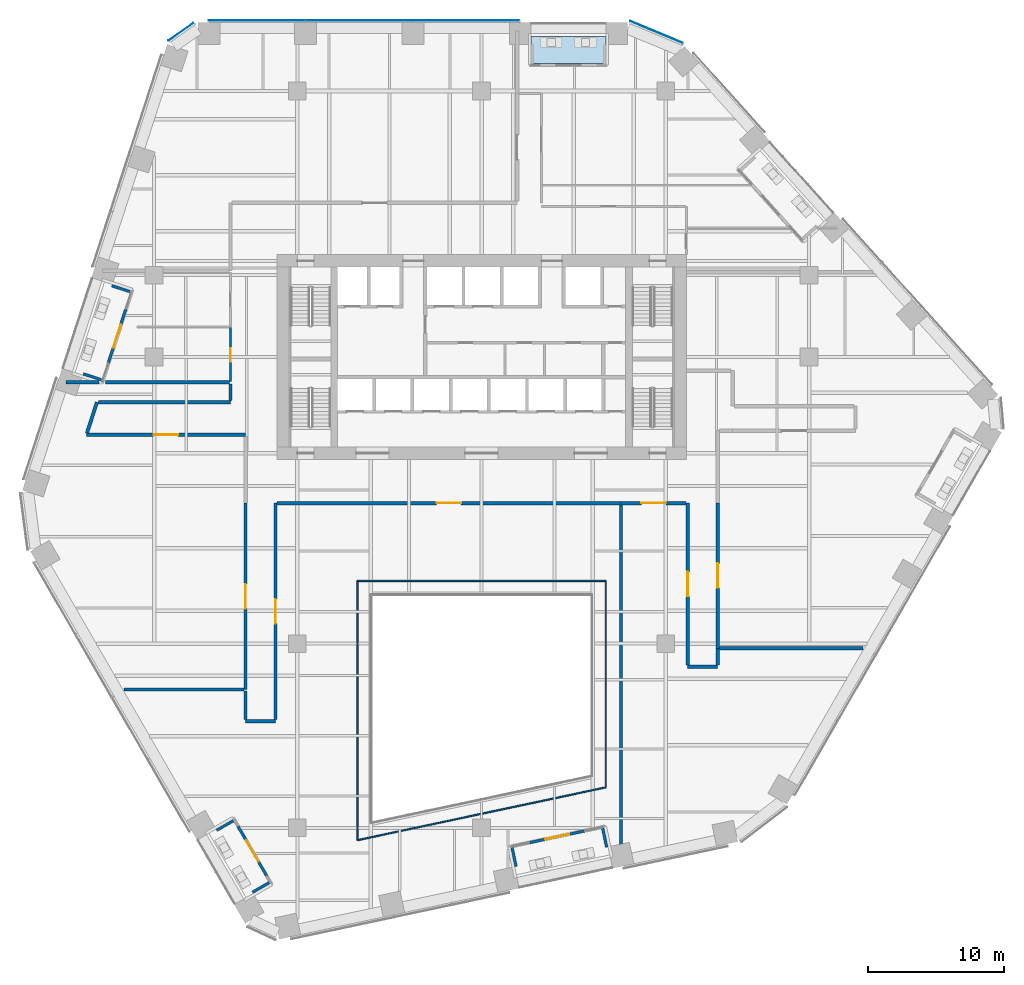
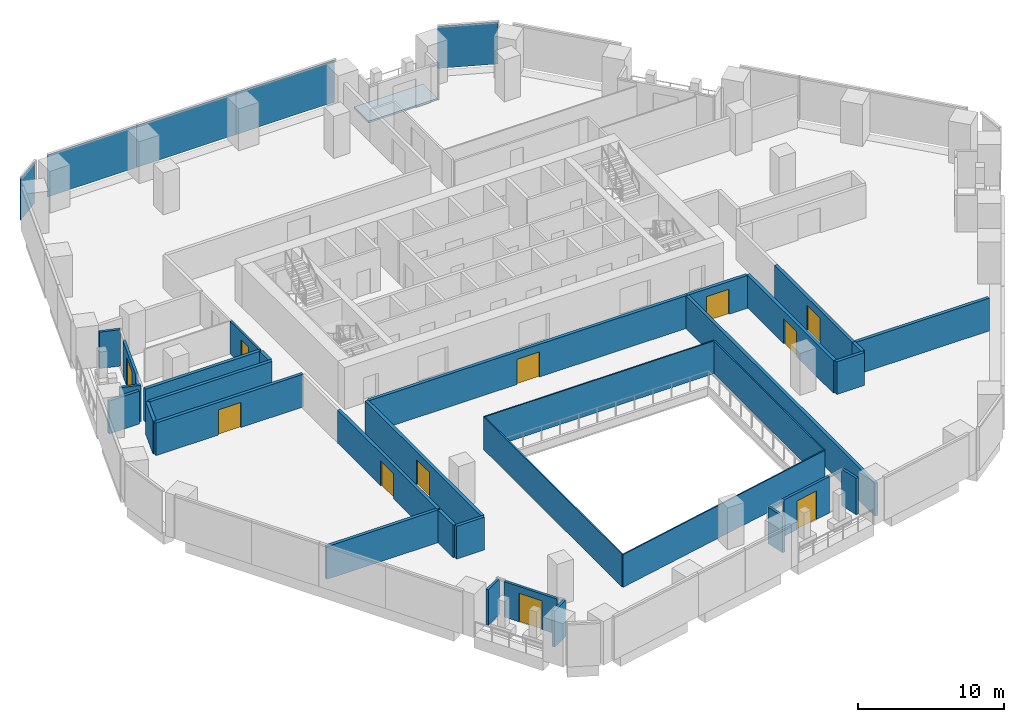
# One storey, part 20 of 28: 33 walls, 11 doors, 5 plates, 1 slab, 11 openings, 3 elements without a shape of their own.
"""IFC4 building model written with IfcOpenShell, lengths in metres."""

from ifc_helpers import new_model, si_unit, direction, frame, frame_2d, origin, origin_2d, place, context, subcontext, project, spatial, polyline, rectangle, outline, extrude, material, layer, layer_set, type_object, element, fill, aggregate, save


model = new_model("IFC4")

# Units and contexts
model_context = context("Model", 3, precision=1e-05, world=origin(), true_north=direction((0.0, 1.0)))
body_context = subcontext(model_context, "Body", "Model", "MODEL_VIEW")
ifc_project = project(units=[si_unit("LENGTHUNIT", "METRE"), si_unit("AREAUNIT", "SQUARE_METRE"), si_unit("VOLUMEUNIT", "CUBIC_METRE"), si_unit("PLANEANGLEUNIT", "RADIAN"), si_unit("MASSUNIT", "GRAM", prefix="KILO")], contexts=[model_context])

# Site, building, storey
site_placement = place(None, origin())
site = spatial("IfcSite", under=ifc_project, at=site_placement, CompositionType="ELEMENT")
building_placement = place(site_placement, origin())
building = spatial("IfcBuilding", under=site, at=building_placement, Name="Isthmus Gate Tower", CompositionType="ELEMENT")
storey_placement = place(building_placement, frame((0.0, 0.0, 84.300048828125)))
storey = spatial("IfcBuildingStorey", under=building, at=storey_placement, Name="L19", CompositionType="ELEMENT", Elevation=84.300048828125)

# Curtain wall, plates
ifc_material_1 = material(Name="Aluminium, pale champagne anodised", Category="aluminium")
ifc_layer_1 = layer(ifc_material_1, 0.199951171875)
ifc_layer_set_1 = layer_set([ifc_layer_1], Name="CW-1 UNITISED CURTAIN WALL 200 DEEP")
curtain_wall_type = type_object("IfcCurtainWallType", Name="CW-1 UNITISED CURTAIN WALL 200 DEEP", PredefinedType="NOTDEFINED", material=ifc_layer_set_1)
curtain_wall_1_placement = place(storey_placement, origin())
curtain_wall_1 = element("IfcCurtainWall", 1, at=curtain_wall_1_placement, inside=storey, type_object=curtain_wall_type, Name="CW-1 N L19", PredefinedType="NOTDEFINED")
ifc_material_2 = material(Name="Laminated low-iron glass, pale blue tint", Category="glass")
ifc_layer_2 = layer(ifc_material_2, 0.0400390625)
ifc_layer_set_2 = layer_set([ifc_layer_2], Name="CW-1 CLEAR GLASS LITE 40")
plate_type = type_object("IfcPlateType", Name="CW-1 CLEAR GLASS LITE 40", PredefinedType="CURTAIN_PANEL", material=ifc_layer_set_2)
plate_1_placement = place(storey_placement, frame((-1.13232421875, 32.179931640625, 0.0), z_axis=(0.0, 0.0, 1.0), x_axis=(-1.0, 0.0, 0.0)))
plate_1 = element("IfcPlate", 2, at=plate_1_placement, type_object=plate_type, Name="CW-1 glass lite", PredefinedType="CURTAIN_PANEL", context=body_context, shape_type="SweptSolid", body=[
    extrude(rectangle(XDim=7.8095703125, YDim=0.0400390625, at=origin_2d()), origin(), (0.0, 0.0, 1.0), 3.5),
])
plate_2_placement = place(storey_placement, frame((-8.971923828125, 32.179931640625, 0.0), z_axis=(0.0, 0.0, 1.0), x_axis=(-1.0, 0.0, 0.0)))
plate_2 = element("IfcPlate", 3, at=plate_2_placement, type_object=plate_type, Name="CW-1 glass lite", PredefinedType="CURTAIN_PANEL", context=body_context, shape_type="SweptSolid", body=[
    extrude(rectangle(XDim=7.86962890625, YDim=0.0400390625, at=origin_2d()), origin(), (0.0, 0.0, 1.0), 3.5),
])
plate_3_placement = place(storey_placement, frame((-16.471435546875, 32.179931640625, 0.0), z_axis=(0.0, 0.0, 1.0), x_axis=(-1.0, 0.0, 0.0)))
plate_3 = element("IfcPlate", 4, at=plate_3_placement, type_object=plate_type, Name="CW-1 glass lite", PredefinedType="CURTAIN_PANEL", context=body_context, shape_type="SweptSolid", body=[
    extrude(rectangle(XDim=7.009521484375, YDim=0.0400390625, at=origin_2d()), origin(), (0.0, 0.0, 1.0), 3.5),
])
aggregate(curtain_wall_1, [plate_1, plate_2, plate_3])

# Curtain wall, plate
curtain_wall_2_placement = place(storey_placement, origin())
curtain_wall_2 = element("IfcCurtainWall", 5, at=curtain_wall_2_placement, inside=storey, type_object=curtain_wall_type, Name="CW-1 N-NW L19", PredefinedType="NOTDEFINED")
plate_4_placement = place(storey_placement, frame((-22.025146484375, 31.341552734375, 0.0), z_axis=(0.0, 0.0, 1.0), x_axis=(-0.81785959165, -0.57541783805, 0.0)))
plate_4 = element("IfcPlate", 6, at=plate_4_placement, type_object=plate_type, Name="CW-1 glass lite", PredefinedType="CURTAIN_PANEL", context=body_context, shape_type="SweptSolid", body=[
    extrude(rectangle(XDim=2.258544921875, YDim=0.0400390625, at=origin_2d()), origin(), (0.0, 0.0, 1.0), 3.5),
])
aggregate(curtain_wall_2, [plate_4])

curtain_wall_3_placement = place(storey_placement, origin())
curtain_wall_3 = element("IfcCurtainWall", 7, at=curtain_wall_3_placement, inside=storey, type_object=curtain_wall_type, Name="CW-1 NE-N L19", PredefinedType="NOTDEFINED")
plate_5_placement = place(storey_placement, frame((12.816650390625, 31.315673828125, 0.0), z_axis=(0.0, 0.0, 1.0), x_axis=(-0.923353128387, 0.383951820282, 0.0)))
plate_5 = element("IfcPlate", 8, at=plate_5_placement, type_object=plate_type, Name="CW-1 glass lite", PredefinedType="CURTAIN_PANEL", context=body_context, shape_type="SweptSolid", body=[
    extrude(rectangle(XDim=4.181396484375, YDim=0.0400390625, at=origin_2d()), origin(), (0.0, 0.0, 1.0), 3.5),
])
aggregate(curtain_wall_3, [plate_5])

# Slab
ifc_material_3 = material(Name="Concrete f'c 50 MPa", Category="concrete")
ifc_layer_3 = layer(ifc_material_3, 0.14990234375)
ifc_layer_set_3 = layer_set([ifc_layer_3], Name="LOGGIA FLOOR SLAB 150")
slab_type = type_object("IfcSlabType", Name="LOGGIA FLOOR SLAB 150", PredefinedType="FLOOR", material=ifc_layer_set_3)
slab_placement = place(storey_placement, frame((0.0, 0.0, -0.150146484375)))
element("IfcSlab", 9, at=slab_placement, inside=storey, type_object=slab_type, Name="LOGGIA FLOOR", PredefinedType="FLOOR", context=body_context, shape_type="SweptSolid", body=[
    extrude(outline(polyline([(9.101806640625, 31.0), (3.63232421875, 31.0), (3.63232421875, 29.0), (9.101806640625, 29.0), (9.101806640625, 31.0)])), origin(), (0.0, 0.0, 1.0), 0.150146484375),
])

# Wall, opening, door
ifc_material_4 = material(Name="Double-leaf acoustic stud wall, fire-rated", Category="gypsum")
ifc_layer_4 = layer(ifc_material_4, 0.25)
ifc_layer_set_4 = layer_set([ifc_layer_4], Name="ACOUSTIC WALL 250 60 MIN")
wall_type_1 = type_object("IfcWallType", Name="ACOUSTIC WALL 250 60 MIN", PredefinedType="PARTITIONING", material=ifc_layer_set_4)
wall_1_placement = place(storey_placement, frame((10.212890625, -3.199951171875, 0.0), z_axis=(0.0, 0.0, 1.0), x_axis=(-1.0, 0.0, 0.0)))
wall_1 = element("IfcWall", 10, at=wall_1_placement, inside=storey, type_object=wall_type_1, Name="L19 Acoustic Wall 250 60 Min", PredefinedType="PARTITIONING", context=body_context, shape_type="SweptSolid", body=[
    extrude(rectangle(XDim=25.18798828125, YDim=0.25, at=frame_2d((12.593994140625, 0.0))), origin(), (0.0, 0.0, 1.0), 2.7412109375),
])
opening_1_placement = place(wall_1_placement, frame((11.70654296875, 0.0, 0.0)))
opening_1 = element("IfcOpeningElement", 11, at=opening_1_placement, cuts=wall_1, Name="Opening DT-T2A-12", PredefinedType="OPENING", context=body_context, shape_type="SweptSolid", body=[
    extrude(rectangle(XDim=1.800048828125, YDim=2.10009765625, at=frame_2d((0.89990234375, 1.050048828125))), frame((0.0, 0.135009765625, 0.0), z_axis=(0.0, -1.0, 0.0), x_axis=(1.0, 0.0, 0.0)), (0.0, 0.0, 1.0), 0.27001953125),
])
ifc_material_5 = material(Name="Solid core timber door leaf, fire-rated", Category="wood")
door_type_1 = type_object("IfcDoorType", Name="FIRE DOOR ACOUSTIC ROOM 1800 X 2100 60 MIN", OperationType="DOUBLE_DOOR_DOUBLE_SWING", PredefinedType="DOOR", material=ifc_material_5)
door_1_placement = place(opening_1_placement, origin())
door_1 = element("IfcDoor", 12, at=door_1_placement, inside=storey, type_object=door_type_1, Name="L19 room door", OperationType="DOUBLE_DOOR_DOUBLE_SWING", OverallHeight=2.10009765625, OverallWidth=1.800048828125, PredefinedType="DOOR", context=body_context, shape_type="SweptSolid", body=[
    extrude(rectangle(XDim=1.800048828125, YDim=2.10009765625, at=frame_2d((0.89990234375, 1.050048828125))), frame((0.0, 0.02490234375, 0.0), z_axis=(0.0, -1.0, 0.0), x_axis=(1.0, 0.0, 0.0)), (0.0, 0.0, 1.0), 0.050048828125),
])
fill(opening_1, door_1)

wall_2_placement = place(storey_placement, frame((14.97509765625, -3.199951171875, 0.0), z_axis=(0.0, 0.0, 1.0), x_axis=(-1.0, 0.0, 0.0)))
wall_2 = element("IfcWall", 13, at=wall_2_placement, inside=storey, type_object=wall_type_1, Name="L19 Acoustic Wall 250 60 Min", PredefinedType="PARTITIONING", context=body_context, shape_type="SweptSolid", body=[
    extrude(rectangle(XDim=4.76220703125, YDim=0.25, at=frame_2d((2.381103515625, 0.0))), origin(), (0.0, 0.0, 1.0), 2.7412109375),
])
opening_2_placement = place(wall_2_placement, frame((1.468505859375, 0.0, 0.0)))
opening_2 = element("IfcOpeningElement", 14, at=opening_2_placement, cuts=wall_2, Name="Opening DT-T2A-15", PredefinedType="OPENING", context=body_context, shape_type="SweptSolid", body=[
    extrude(rectangle(XDim=1.800048828125, YDim=2.10009765625, at=frame_2d((0.89990234375, 1.050048828125))), frame((0.0, 0.135009765625, 0.0), z_axis=(0.0, -1.0, 0.0), x_axis=(1.0, 0.0, 0.0)), (0.0, 0.0, 1.0), 0.27001953125),
])
door_2_placement = place(opening_2_placement, origin())
door_2 = element("IfcDoor", 15, at=door_2_placement, inside=storey, type_object=door_type_1, Name="L19 room door", OperationType="DOUBLE_DOOR_DOUBLE_SWING", OverallHeight=2.10009765625, OverallWidth=1.800048828125, PredefinedType="DOOR", context=body_context, shape_type="SweptSolid", body=[
    extrude(rectangle(XDim=1.800048828125, YDim=2.10009765625, at=frame_2d((0.89990234375, 1.050048828125))), frame((0.0, 0.02490234375, 0.0), z_axis=(0.0, -1.0, 0.0), x_axis=(1.0, 0.0, 0.0)), (0.0, 0.0, 1.0), 0.050048828125),
])
fill(opening_2, door_2)

wall_3_placement = place(storey_placement, frame((-17.298095703125, 1.802001953125, 0.0), z_axis=(0.0, 0.0, 1.0), x_axis=(-0.99999998598, -0.000167451594, 0.0)))
wall_3 = element("IfcWall", 16, at=wall_3_placement, inside=storey, type_object=wall_type_1, Name="L19 Acoustic Wall 250 60 Min", PredefinedType="PARTITIONING", context=body_context, shape_type="SweptSolid", body=[
    extrude(rectangle(XDim=11.663818359375, YDim=0.25, at=frame_2d((5.83203125, 0.0))), origin(), (0.0, 0.0, 1.0), 2.7412109375),
])
opening_3_placement = place(wall_3_placement, frame((4.931884765625, 0.0, 0.0)))
opening_3 = element("IfcOpeningElement", 17, at=opening_3_placement, cuts=wall_3, Name="Opening DT-T2A-11", PredefinedType="OPENING", context=body_context, shape_type="SweptSolid", body=[
    extrude(rectangle(XDim=1.800048828125, YDim=2.10009765625, at=frame_2d((0.89990234375, 1.050048828125))), frame((0.0, 0.135009765625, 0.0), z_axis=(0.0, -1.0, 0.0), x_axis=(1.0, 0.0, 0.0)), (0.0, 0.0, 1.0), 0.27001953125),
])
door_3_placement = place(opening_3_placement, origin())
door_3 = element("IfcDoor", 18, at=door_3_placement, inside=storey, type_object=door_type_1, Name="L19 room door", OperationType="DOUBLE_DOOR_DOUBLE_SWING", OverallHeight=2.10009765625, OverallWidth=1.800048828125, PredefinedType="DOOR", context=body_context, shape_type="SweptSolid", body=[
    extrude(rectangle(XDim=1.800048828125, YDim=2.10009765625, at=frame_2d((0.89990234375, 1.050048828125))), frame((0.0, 0.02490234375, 0.0), z_axis=(0.0, -1.0, 0.0), x_axis=(1.0, 0.0, 0.0)), (0.0, 0.0, 1.0), 0.050048828125),
])
fill(opening_3, door_3)

# Wall
wall_4_placement = place(storey_placement, frame((-15.10009765625, -19.199951171875, 0.0), z_axis=(0.0, 0.0, 1.0), x_axis=(-1.0, 0.0, 0.0)))
element("IfcWall", 19, at=wall_4_placement, inside=storey, type_object=wall_type_1, Name="L19 Acoustic Wall 250 60 Min", PredefinedType="PARTITIONING", context=body_context, shape_type="SweptSolid", body=[
    extrude(rectangle(XDim=2.199951171875, YDim=0.25, at=frame_2d((1.10009765625, 0.0))), origin(), (0.0, 0.0, 1.0), 2.7412109375),
])

# Wall, opening, door
wall_5_placement = place(storey_placement, frame((-15.10009765625, -3.199951171875, 0.0), z_axis=(0.0, 0.0, 1.0), x_axis=(0.0, -1.0, 0.0)))
wall_5 = element("IfcWall", 20, at=wall_5_placement, inside=storey, type_object=wall_type_1, Name="L19 Acoustic Wall 250 60 Min", PredefinedType="PARTITIONING", context=body_context, shape_type="SweptSolid", body=[
    extrude(rectangle(XDim=15.875, YDim=0.25, at=frame_2d((7.9375, 0.0))), origin(), (0.0, 0.0, 1.0), 2.7412109375),
])
opening_4_placement = place(wall_5_placement, frame((7.03759765625, 0.0, 0.0)))
opening_4 = element("IfcOpeningElement", 21, at=opening_4_placement, cuts=wall_5, Name="Opening DT-T2A-13", PredefinedType="OPENING", context=body_context, shape_type="SweptSolid", body=[
    extrude(rectangle(XDim=1.800048828125, YDim=2.10009765625, at=frame_2d((0.89990234375, 1.050048828125))), frame((0.0, 0.135009765625, 0.0), z_axis=(0.0, -1.0, 0.0), x_axis=(1.0, 0.0, 0.0)), (0.0, 0.0, 1.0), 0.27001953125),
])
door_4_placement = place(opening_4_placement, origin())
door_4 = element("IfcDoor", 22, at=door_4_placement, inside=storey, type_object=door_type_1, Name="L19 room door", OperationType="DOUBLE_DOOR_DOUBLE_SWING", OverallHeight=2.10009765625, OverallWidth=1.800048828125, PredefinedType="DOOR", context=body_context, shape_type="SweptSolid", body=[
    extrude(rectangle(XDim=1.800048828125, YDim=2.10009765625, at=frame_2d((0.89990234375, 1.050048828125))), frame((0.0, 0.02490234375, 0.0), z_axis=(0.0, -1.0, 0.0), x_axis=(1.0, 0.0, 0.0)), (0.0, 0.0, 1.0), 0.050048828125),
])
fill(opening_4, door_4)

wall_6_placement = place(storey_placement, frame((17.300048828125, -3.201904296875, 0.0), z_axis=(0.0, 0.0, 1.0), x_axis=(0.0, -1.0, 0.0)))
wall_6 = element("IfcWall", 23, at=wall_6_placement, inside=storey, type_object=wall_type_1, Name="L19 Acoustic Wall 250 60 Min", PredefinedType="PARTITIONING", context=body_context, shape_type="SweptSolid", body=[
    extrude(rectangle(XDim=10.63720703125, YDim=0.25, at=frame_2d((5.318603515625, 0.0))), origin(), (0.0, 0.0, 1.0), 2.7412109375),
])
opening_5_placement = place(wall_6_placement, frame((4.41845703125, 0.0, 0.0)))
opening_5 = element("IfcOpeningElement", 24, at=opening_5_placement, cuts=wall_6, Name="Opening DT-T2A-08", PredefinedType="OPENING", context=body_context, shape_type="SweptSolid", body=[
    extrude(rectangle(XDim=1.800048828125, YDim=2.10009765625, at=frame_2d((0.89990234375, 1.050048828125))), frame((0.0, 0.135009765625, 0.0), z_axis=(0.0, -1.0, 0.0), x_axis=(1.0, 0.0, 0.0)), (0.0, 0.0, 1.0), 0.27001953125),
])
door_5_placement = place(opening_5_placement, origin())
door_5 = element("IfcDoor", 25, at=door_5_placement, inside=storey, type_object=door_type_1, Name="L19 room door", OperationType="DOUBLE_DOOR_DOUBLE_SWING", OverallHeight=2.10009765625, OverallWidth=1.800048828125, PredefinedType="DOOR", context=body_context, shape_type="SweptSolid", body=[
    extrude(rectangle(XDim=1.800048828125, YDim=2.10009765625, at=frame_2d((0.89990234375, 1.050048828125))), frame((0.0, 0.02490234375, 0.0), z_axis=(0.0, -1.0, 0.0), x_axis=(1.0, 0.0, 0.0)), (0.0, 0.0, 1.0), 0.050048828125),
])
fill(opening_5, door_5)

# Walls
wall_7_placement = place(storey_placement, frame((17.300048828125, -15.199951171875, 0.0), z_axis=(0.0, 0.0, 1.0), x_axis=(-1.0, 0.0, 0.0)))
element("IfcWall", 26, at=wall_7_placement, inside=storey, type_object=wall_type_1, Name="L19 Acoustic Wall 250 60 Min", PredefinedType="PARTITIONING", context=body_context, shape_type="SweptSolid", body=[
    extrude(rectangle(XDim=2.199951171875, YDim=0.25, at=frame_2d((1.10009765625, 0.0))), origin(), (0.0, 0.0, 1.0), 2.7412109375),
])
wall_8_placement = place(storey_placement, frame((17.300048828125, -13.839111328125, 0.0), z_axis=(0.0, 0.0, 1.0), x_axis=(0.0, -1.0, 0.0)))
element("IfcWall", 27, at=wall_8_placement, inside=storey, type_object=wall_type_1, Name="L19 Acoustic Wall 250 60 Min", PredefinedType="PARTITIONING", context=body_context, shape_type="SweptSolid", body=[
    extrude(rectangle(XDim=1.23583984375, YDim=0.25, at=frame_2d((0.617919921875, 0.0))), origin(), (0.0, 0.0, 1.0), 2.7412109375),
])
wall_9_placement = place(storey_placement, frame((-30.44091796875, 5.660888671875, 0.0), z_axis=(0.0, 0.0, 1.0), x_axis=(1.0, 0.0, 0.0)))
element("IfcWall", 28, at=wall_9_placement, inside=storey, type_object=wall_type_1, Name="L19 Acoustic Wall 250 60 Min", PredefinedType="PARTITIONING", context=body_context, shape_type="SweptSolid", body=[
    extrude(rectangle(XDim=2.390625, YDim=0.25, at=frame_2d((1.1953125, 0.0))), origin(), (0.0, 0.0, 1.0), 2.7412109375),
])
wall_10_placement = place(storey_placement, frame((-27.574951171875, 5.660888671875, 0.0), z_axis=(0.0, 0.0, 1.0), x_axis=(1.0, 0.0, 0.0)))
element("IfcWall", 29, at=wall_10_placement, inside=storey, type_object=wall_type_1, Name="L19 Acoustic Wall 250 60 Min", PredefinedType="PARTITIONING", context=body_context, shape_type="SweptSolid", body=[
    extrude(rectangle(XDim=9.099853515625, YDim=0.25, at=frame_2d((4.5498046875, 0.0))), origin(), (0.0, 0.0, 1.0), 2.7412109375),
])
wall_11_placement = place(storey_placement, frame((17.425048828125, -13.839111328125, 0.0), z_axis=(0.0, 0.0, 1.0), x_axis=(1.0, 0.0, 0.0)))
element("IfcWall", 30, at=wall_11_placement, inside=storey, type_object=wall_type_1, Name="L19 Acoustic Wall 250 60 Min", PredefinedType="PARTITIONING", context=body_context, shape_type="SweptSolid", body=[
    extrude(rectangle(XDim=10.5419921875, YDim=0.25, at=frame_2d((5.27099609375, 0.0))), origin(), (0.0, 0.0, 1.0), 2.7412109375),
])
wall_12_placement = place(storey_placement, frame((-28.92138671875, 1.925048828125, 0.0), z_axis=(0.0, 0.0, 1.0), x_axis=(0.309146074309, 0.951014565998, 0.0)))
element("IfcWall", 31, at=wall_12_placement, inside=storey, type_object=wall_type_1, Name="L19 Acoustic Wall 250 60 Min", PredefinedType="PARTITIONING", context=body_context, shape_type="SweptSolid", body=[
    extrude(rectangle(XDim=2.39208984375, YDim=0.25, at=frame_2d((1.196044921875, 0.0))), origin(), (0.0, 0.0, 1.0), 2.7412109375),
])
wall_13_placement = place(storey_placement, frame((-28.056884765625, 4.199951171875, 0.0), z_axis=(0.0, 0.0, 1.0), x_axis=(1.0, 0.0, 0.0)))
element("IfcWall", 32, at=wall_13_placement, inside=storey, type_object=wall_type_1, Name="L19 Acoustic Wall 250 60 Min", PredefinedType="PARTITIONING", context=body_context, shape_type="SweptSolid", body=[
    extrude(rectangle(XDim=9.656982421875, YDim=0.25, at=frame_2d((4.82861328125, 0.0))), origin(), (0.0, 0.0, 1.0), 2.7412109375),
])
wall_14_placement = place(storey_placement, frame((-18.39990234375, 4.324951171875, 0.0), z_axis=(0.0, 0.0, 1.0), x_axis=(0.0, 1.0, 0.0)))
element("IfcWall", 33, at=wall_14_placement, inside=storey, type_object=wall_type_1, Name="L19 Acoustic Wall 250 60 Min", PredefinedType="PARTITIONING", context=body_context, shape_type="SweptSolid", body=[
    extrude(rectangle(XDim=1.2109375, YDim=0.25, at=frame_2d((0.60546875, 0.0))), origin(), (0.0, 0.0, 1.0), 2.7412109375),
])

# Wall, opening, door
wall_15_placement = place(storey_placement, frame((-17.300048828125, -16.862060546875, 0.0), z_axis=(0.0, 0.0, 1.0), x_axis=(0.0, 1.0, 0.0)))
wall_15 = element("IfcWall", 34, at=wall_15_placement, inside=storey, type_object=wall_type_1, Name="L19 Acoustic Wall 250 60 Min", PredefinedType="PARTITIONING", context=body_context, shape_type="SweptSolid", body=[
    extrude(rectangle(XDim=13.66015625, YDim=0.25, at=frame_2d((6.830078125, 0.0))), origin(), (0.0, 0.0, 1.0), 2.7412109375),
])
opening_6_placement = place(wall_15_placement, frame((5.929931640625, 0.0, 0.0)))
opening_6 = element("IfcOpeningElement", 35, at=opening_6_placement, cuts=wall_15, Name="Opening DT-T2A-10", PredefinedType="OPENING", context=body_context, shape_type="SweptSolid", body=[
    extrude(rectangle(XDim=1.800048828125, YDim=2.10009765625, at=frame_2d((0.89990234375, 1.050048828125))), frame((0.0, 0.135009765625, 0.0), z_axis=(0.0, -1.0, 0.0), x_axis=(1.0, 0.0, 0.0)), (0.0, 0.0, 1.0), 0.27001953125),
])
door_6_placement = place(opening_6_placement, origin())
door_6 = element("IfcDoor", 36, at=door_6_placement, inside=storey, type_object=door_type_1, Name="L19 room door", OperationType="DOUBLE_DOOR_DOUBLE_SWING", OverallHeight=2.10009765625, OverallWidth=1.800048828125, PredefinedType="DOOR", context=body_context, shape_type="SweptSolid", body=[
    extrude(rectangle(XDim=1.800048828125, YDim=2.10009765625, at=frame_2d((0.89990234375, 1.050048828125))), frame((0.0, 0.02490234375, 0.0), z_axis=(0.0, -1.0, 0.0), x_axis=(1.0, 0.0, 0.0)), (0.0, 0.0, 1.0), 0.050048828125),
])
fill(opening_6, door_6)

# Walls
wall_16_placement = place(storey_placement, frame((-26.221923828125, -16.862060546875, 0.0), z_axis=(0.0, 0.0, 1.0), x_axis=(1.0, 0.0, 0.0)))
element("IfcWall", 37, at=wall_16_placement, inside=storey, type_object=wall_type_1, Name="L19 Acoustic Wall 250 60 Min", PredefinedType="PARTITIONING", context=body_context, shape_type="SweptSolid", body=[
    extrude(rectangle(XDim=8.796875, YDim=0.25, at=frame_2d((4.3984375, 0.0))), origin(), (0.0, 0.0, 1.0), 2.7412109375),
])
wall_17_placement = place(storey_placement, frame((-17.300048828125, -19.074951171875, 0.0), z_axis=(0.0, 0.0, 1.0), x_axis=(0.0, 1.0, 0.0)))
element("IfcWall", 38, at=wall_17_placement, inside=storey, type_object=wall_type_1, Name="L19 Acoustic Wall 250 60 Min", PredefinedType="PARTITIONING", context=body_context, shape_type="SweptSolid", body=[
    extrude(rectangle(XDim=2.087890625, YDim=0.25, at=frame_2d((1.0439453125, 0.0))), origin(), (0.0, 0.0, 1.0), 2.7412109375),
])
wall_18_placement = place(storey_placement, frame((10.212890625, -29.216064453125, 0.0), z_axis=(0.0, 0.0, 1.0), x_axis=(0.0, 1.0, 0.0)))
element("IfcWall", 39, at=wall_18_placement, inside=storey, type_object=wall_type_1, Name="L19 Acoustic Wall 250 60 Min", PredefinedType="PARTITIONING", context=body_context, shape_type="SweptSolid", body=[
    extrude(rectangle(XDim=25.89111328125, YDim=0.25, at=frame_2d((12.945556640625, 0.0))), origin(), (0.0, 0.0, 1.0), 2.7412109375),
])

# Wall, opening, door
wall_19_placement = place(storey_placement, frame((15.10009765625, -15.074951171875, 0.0), z_axis=(0.0, 0.0, 1.0), x_axis=(0.0, 1.0, 0.0)))
wall_19 = element("IfcWall", 40, at=wall_19_placement, inside=storey, type_object=wall_type_1, Name="L19 Acoustic Wall 250 60 Min", PredefinedType="PARTITIONING", context=body_context, shape_type="SweptSolid", body=[
    extrude(rectangle(XDim=11.875, YDim=0.25, at=frame_2d((5.9375, 0.0))), origin(), (0.0, 0.0, 1.0), 2.7412109375),
])
opening_7_placement = place(wall_19_placement, frame((5.03759765625, 0.0, 0.0)))
opening_7 = element("IfcOpeningElement", 41, at=opening_7_placement, cuts=wall_19, Name="Opening DT-T2A-14", PredefinedType="OPENING", context=body_context, shape_type="SweptSolid", body=[
    extrude(rectangle(XDim=1.800048828125, YDim=2.10009765625, at=frame_2d((0.89990234375, 1.050048828125))), frame((0.0, 0.135009765625, 0.0), z_axis=(0.0, -1.0, 0.0), x_axis=(1.0, 0.0, 0.0)), (0.0, 0.0, 1.0), 0.27001953125),
])
door_7_placement = place(opening_7_placement, origin())
door_7 = element("IfcDoor", 42, at=door_7_placement, inside=storey, type_object=door_type_1, Name="L19 room door", OperationType="DOUBLE_DOOR_DOUBLE_SWING", OverallHeight=2.10009765625, OverallWidth=1.800048828125, PredefinedType="DOOR", context=body_context, shape_type="SweptSolid", body=[
    extrude(rectangle(XDim=1.800048828125, YDim=2.10009765625, at=frame_2d((0.89990234375, 1.050048828125))), frame((0.0, 0.02490234375, 0.0), z_axis=(0.0, -1.0, 0.0), x_axis=(1.0, 0.0, 0.0)), (0.0, 0.0, 1.0), 0.050048828125),
])
fill(opening_7, door_7)

# Walls
ifc_material_6 = material(Name="Fire-rated laminated glass in steel frame", Category="steel")
ifc_layer_5 = layer(ifc_material_6, 0.10009765625)
ifc_layer_set_5 = layer_set([ifc_layer_5], Name="ATRIUM SCREEN GLAZED WALL 100 120 MIN")
wall_type_2 = type_object("IfcWallType", Name="ATRIUM SCREEN GLAZED WALL 100 120 MIN", PredefinedType="PARTITIONING", material=ifc_layer_set_5)
wall_20_placement = place(storey_placement, frame((-9.10009765625, -8.89990234375, 0.0), z_axis=(0.0, 0.0, 1.0), x_axis=(1.0, 0.0, 0.0)))
element("IfcWall", 43, at=wall_20_placement, inside=storey, type_object=wall_type_2, Name="L19 atrium screen", PredefinedType="PARTITIONING", context=body_context, shape_type="SweptSolid", body=[
    extrude(rectangle(XDim=18.2001953125, YDim=0.10009765625, at=frame_2d((9.10009765625, 0.0))), origin(), (0.0, 0.0, 1.0), 2.7412109375),
])
wall_21_placement = place(storey_placement, frame((9.10009765625, -8.89990234375, 0.0), z_axis=(0.0, 0.0, 1.0), x_axis=(0.0, -1.0, 0.0)))
element("IfcWall", 44, at=wall_21_placement, inside=storey, type_object=wall_type_2, Name="L19 atrium screen", PredefinedType="PARTITIONING", context=body_context, shape_type="SweptSolid", body=[
    extrude(rectangle(XDim=15.134033203125, YDim=0.10009765625, at=frame_2d((7.56689453125, 0.0))), origin(), (0.0, 0.0, 1.0), 2.7412109375),
])
wall_22_placement = place(storey_placement, frame((9.10009765625, -24.033935546875, 0.0), z_axis=(0.0, 0.0, 1.0), x_axis=(-0.978146710971, -0.207915876778, 0.0)))
element("IfcWall", 45, at=wall_22_placement, inside=storey, type_object=wall_type_2, Name="L19 atrium screen", PredefinedType="PARTITIONING", context=body_context, shape_type="SweptSolid", body=[
    extrude(rectangle(XDim=18.60693359375, YDim=0.10009765625, at=frame_2d((9.303466796875, 0.0))), origin(), (0.0, 0.0, 1.0), 2.7412109375),
])
wall_23_placement = place(storey_placement, frame((-9.10009765625, -27.902587890625, 0.0), z_axis=(0.0, 0.0, 1.0), x_axis=(0.0, 1.0, 0.0)))
element("IfcWall", 46, at=wall_23_placement, inside=storey, type_object=wall_type_2, Name="L19 atrium screen", PredefinedType="PARTITIONING", context=body_context, shape_type="SweptSolid", body=[
    extrude(rectangle(XDim=19.002685546875, YDim=0.10009765625, at=frame_2d((9.50146484375, 0.0))), origin(), (0.0, 0.0, 1.0), 2.7412109375),
])

# Wall, opening, door
ifc_material_7 = material(Name="Gypsum board on steel studs, fire-rated", Category="steel")
ifc_layer_6 = layer(ifc_material_7, 0.14990234375)
ifc_layer_set_6 = layer_set([ifc_layer_6], Name="CORRIDOR WALL 150 60 MIN")
wall_type_3 = type_object("IfcWallType", Name="CORRIDOR WALL 150 60 MIN", PredefinedType="PARTITIONING", material=ifc_layer_set_6)
wall_24_placement = place(storey_placement, frame((-18.39990234375, 5.7109375, 0.0), z_axis=(0.0, 0.0, 1.0), x_axis=(0.0, 1.0, 0.0)))
wall_24 = element("IfcWall", 47, at=wall_24_placement, inside=storey, type_object=wall_type_3, Name="L19 Corridor Wall 150 60 Min", PredefinedType="PARTITIONING", context=body_context, shape_type="SweptSolid", body=[
    extrude(rectangle(XDim=3.953125, YDim=0.14990234375, at=frame_2d((1.9765625, 0.0))), origin(), (0.0, 0.0, 1.0), 2.7412109375),
])
opening_8_placement = place(wall_24_placement, frame((1.451416015625, 0.0, 0.0)))
opening_8 = element("IfcOpeningElement", 48, at=opening_8_placement, cuts=wall_24, Name="Opening DT-T2A-07", PredefinedType="OPENING", context=body_context, shape_type="SweptSolid", body=[
    extrude(rectangle(XDim=1.0, YDim=2.10009765625, at=frame_2d((0.5, 1.050048828125))), frame((0.0, 0.0849609375, 0.0), z_axis=(0.0, -1.0, 0.0), x_axis=(1.0, 0.0, 0.0)), (0.0, 0.0, 1.0), 0.169921875),
])
ifc_material_8 = material(Name="Solid core timber door leaf, fire-rated", Category="wood")
door_type_2 = type_object("IfcDoorType", Name="FIRE DOOR ROOM 1000 X 2100 60 MIN", OperationType="SINGLE_SWING_LEFT", PredefinedType="DOOR", material=ifc_material_8)
door_8_placement = place(opening_8_placement, origin())
door_8 = element("IfcDoor", 49, at=door_8_placement, inside=storey, type_object=door_type_2, Name="L19 room door", OperationType="SINGLE_SWING_RIGHT", OverallHeight=2.10009765625, OverallWidth=1.0, PredefinedType="DOOR", context=body_context, shape_type="SweptSolid", body=[
    extrude(rectangle(XDim=1.0, YDim=2.10009765625, at=frame_2d((0.5, 1.050048828125))), frame((0.0, 0.02490234375, 0.0), z_axis=(0.0, -1.0, 0.0), x_axis=(1.0, 0.0, 0.0)), (0.0, 0.0, 1.0), 0.050048828125),
])
fill(opening_8, door_8)

ifc_material_9 = material(Name="Precast concrete C40/50", Category="concrete")
ifc_layer_7 = layer(ifc_material_9, 0.199951171875)
ifc_layer_set_7 = layer_set([ifc_layer_7], Name="LOGGIA WALL 200")
wall_type_4 = type_object("IfcWallType", Name="LOGGIA WALL 200", PredefinedType="SOLIDWALL", material=ifc_layer_set_7)
wall_25_placement = place(storey_placement, frame((-26.067626953125, 11.03173828125, 0.0), z_axis=(0.0, 0.0, 1.0), x_axis=(-0.30901640812, -0.951056706781, 0.0)))
wall_25 = element("IfcWall", 50, at=wall_25_placement, inside=storey, type_object=wall_type_4, Name="LOGGIA BACK WALL", PredefinedType="SOLIDWALL", context=body_context, shape_type="SweptSolid", body=[
    extrude(rectangle(XDim=4.199951171875, YDim=0.199951171875, at=frame_2d((2.10009765625, 0.0))), origin(), (0.0, 0.0, 1.0), 2.966552734375),
])
opening_9_placement = place(wall_25_placement, frame((1.199951171875, 0.0, 0.0)))
opening_9 = element("IfcOpeningElement", 51, at=opening_9_placement, cuts=wall_25, Name="Opening DE19-02", PredefinedType="OPENING", context=body_context, shape_type="SweptSolid", body=[
    extrude(rectangle(XDim=1.800048828125, YDim=2.39990234375, at=frame_2d((0.89990234375, 1.199951171875))), frame((0.0, 0.10986328125, 0.0), z_axis=(0.0, -1.0, 0.0), x_axis=(1.0, 0.0, 0.0)), (0.0, 0.0, 1.0), 0.219970703125),
])
ifc_material_10 = material(Name="Aluminium, pale champagne anodised, laminated glass", Category="aluminium")
door_type_3 = type_object("IfcDoorType", Name="LOGGIA DOOR SLIDING 1800 X 2400", OperationType="DOUBLE_DOOR_SLIDING", PredefinedType="DOOR", material=ifc_material_10)
door_9_placement = place(opening_9_placement, origin())
door_9 = element("IfcDoor", 52, at=door_9_placement, inside=storey, type_object=door_type_3, Name="DOOR DE19-02", OperationType="SINGLE_SWING_LEFT", OverallHeight=2.39990234375, OverallWidth=1.800048828125, PredefinedType="DOOR", context=body_context, shape_type="SweptSolid", body=[
    extrude(rectangle(XDim=1.800048828125, YDim=2.39990234375, at=frame_2d((0.89990234375, 1.199951171875))), frame((0.0, 0.02490234375, 0.0), z_axis=(0.0, -1.0, 0.0), x_axis=(1.0, 0.0, 0.0)), (0.0, 0.0, 1.0), 0.050048828125),
])
fill(opening_9, door_9)

# Walls
for number, where, z_axis, x_axis, name in (
    (53, (-27.093994140625, 12.7265625, 0.0), (0.0, 0.0, 1.0), (0.951073957858, -0.30896330961, 0.0), "LOGGIA SIDE WALL"),
    (54, (-29.192138671875, 6.26953125, 0.0), (0.0, 0.0, 1.0), (0.951073957858, -0.30896330961, 0.0), "LOGGIA SIDE WALL"),
):
    element("IfcWall", number, at=place(storey_placement, frame(where, z_axis=z_axis, x_axis=x_axis)), inside=storey, type_object=wall_type_4, Name=name, PredefinedType="SOLIDWALL", context=body_context, shape_type="SweptSolid", body=[
        extrude(rectangle(XDim=1.48388671875, YDim=0.199951171875, at=frame_2d((0.741943359375, 0.0))), origin(), (0.0, 0.0, 1.0), 3.050048828125),
    ])

# Wall, opening, door
wall_26_placement = place(storey_placement, frame((-17.850830078125, -26.88134765625, 0.0), z_axis=(0.0, 0.0, 1.0), x_axis=(0.49998411664, -0.866034573852, 0.0)))
wall_26 = element("IfcWall", 55, at=wall_26_placement, inside=storey, type_object=wall_type_4, Name="LOGGIA BACK WALL", PredefinedType="SOLIDWALL", context=body_context, shape_type="SweptSolid", body=[
    extrude(rectangle(XDim=4.199951171875, YDim=0.199951171875, at=frame_2d((2.10009765625, 0.0))), origin(), (0.0, 0.0, 1.0), 2.966552734375),
])
opening_10_placement = place(wall_26_placement, frame((1.199951171875, 0.0, 0.0)))
opening_10 = element("IfcOpeningElement", 56, at=opening_10_placement, cuts=wall_26, Name="Opening DE19-03", PredefinedType="OPENING", context=body_context, shape_type="SweptSolid", body=[
    extrude(rectangle(XDim=1.800048828125, YDim=2.39990234375, at=frame_2d((0.89990234375, 1.199951171875))), frame((0.0, 0.10986328125, 0.0), z_axis=(0.0, -1.0, 0.0), x_axis=(1.0, 0.0, 0.0)), (0.0, 0.0, 1.0), 0.219970703125),
])
door_10_placement = place(opening_10_placement, origin())
door_10 = element("IfcDoor", 57, at=door_10_placement, inside=storey, type_object=door_type_3, Name="DOOR DE19-03", OperationType="SINGLE_SWING_LEFT", OverallHeight=2.39990234375, OverallWidth=1.800048828125, PredefinedType="DOOR", context=body_context, shape_type="SweptSolid", body=[
    extrude(rectangle(XDim=1.800048828125, YDim=2.39990234375, at=frame_2d((0.89990234375, 1.199951171875))), frame((0.0, 0.02490234375, 0.0), z_axis=(0.0, -1.0, 0.0), x_axis=(1.0, 0.0, 0.0)), (0.0, 0.0, 1.0), 0.050048828125),
])
fill(opening_10, door_10)

# Walls
wall_27_placement = place(storey_placement, frame((-19.410888671875, -27.179443359375, 0.0), z_axis=(0.0, 0.0, 1.0), x_axis=(0.866037643702, 0.499978799242, 0.0)))
element("IfcWall", 58, at=wall_27_placement, inside=storey, type_object=wall_type_4, Name="LOGGIA SIDE WALL", PredefinedType="SOLIDWALL", context=body_context, shape_type="SweptSolid", body=[
    extrude(rectangle(XDim=1.48388671875, YDim=0.199951171875, at=frame_2d((0.741943359375, 0.0))), origin(), (0.0, 0.0, 1.0), 2.966552734375),
])
wall_28_placement = place(storey_placement, frame((-16.7890625, -31.720458984375, 0.0), z_axis=(0.0, 0.0, 1.0), x_axis=(0.866037643702, 0.499978799242, 0.0)))
element("IfcWall", 59, at=wall_28_placement, inside=storey, type_object=wall_type_4, Name="LOGGIA SIDE WALL", PredefinedType="SOLIDWALL", context=body_context, shape_type="SweptSolid", body=[
    extrude(rectangle(XDim=1.48388671875, YDim=0.199951171875, at=frame_2d((0.741943359375, 0.0))), origin(), (0.0, 0.0, 1.0), 3.050048828125),
])

# Wall, opening, door
wall_29_placement = place(storey_placement, frame((3.47998046875, -28.091064453125, 0.0), z_axis=(0.0, 0.0, 1.0), x_axis=(0.978143927149, 0.207928972925, 0.0)))
wall_29 = element("IfcWall", 60, at=wall_29_placement, inside=storey, type_object=wall_type_4, Name="LOGGIA BACK WALL", PredefinedType="SOLIDWALL", context=body_context, shape_type="SweptSolid", body=[
    extrude(rectangle(XDim=4.199951171875, YDim=0.199951171875, at=frame_2d((2.10009765625, 0.0))), origin(), (0.0, 0.0, 1.0), 3.050048828125),
])
opening_11_placement = place(wall_29_placement, frame((1.199951171875, 0.0, 0.0)))
opening_11 = element("IfcOpeningElement", 61, at=opening_11_placement, cuts=wall_29, Name="Opening DE19-04", PredefinedType="OPENING", context=body_context, shape_type="SweptSolid", body=[
    extrude(rectangle(XDim=1.800048828125, YDim=2.39990234375, at=frame_2d((0.89990234375, 1.199951171875))), frame((0.0, 0.10986328125, 0.0), z_axis=(0.0, -1.0, 0.0), x_axis=(1.0, 0.0, 0.0)), (0.0, 0.0, 1.0), 0.219970703125),
])
door_11_placement = place(opening_11_placement, origin())
door_11 = element("IfcDoor", 62, at=door_11_placement, inside=storey, type_object=door_type_3, Name="DOOR DE19-04", OperationType="SINGLE_SWING_LEFT", OverallHeight=2.39990234375, OverallWidth=1.800048828125, PredefinedType="DOOR", context=body_context, shape_type="SweptSolid", body=[
    extrude(rectangle(XDim=1.800048828125, YDim=2.39990234375, at=frame_2d((0.89990234375, 1.199951171875))), frame((0.0, 0.02490234375, 0.0), z_axis=(0.0, -1.0, 0.0), x_axis=(1.0, 0.0, 0.0)), (0.0, 0.0, 1.0), 0.050048828125),
])
fill(opening_11, door_11)

# Walls
for number, where, z_axis, x_axis, name in (
    (63, (2.525390625, -29.827392578125, 0.0), (0.0, 0.0, 1.0), (-0.207966982339, 0.978135846525, 0.0), "LOGGIA SIDE WALL"),
    (64, (9.166259765625, -28.415771484375, 0.0), (0.0, 0.0, 1.0), (-0.207809559424, 0.978169303859, 0.0), "LOGGIA SIDE WALL"),
):
    element("IfcWall", number, at=place(storey_placement, frame(where, z_axis=z_axis, x_axis=x_axis)), inside=storey, type_object=wall_type_4, Name=name, PredefinedType="SOLIDWALL", context=body_context, shape_type="SweptSolid", body=[
        extrude(rectangle(XDim=1.48388671875, YDim=0.199951171875, at=frame_2d((0.741943359375, 0.0))), origin(), (0.0, 0.0, 1.0), 3.050048828125),
    ])

save(model, "model.ifc")
